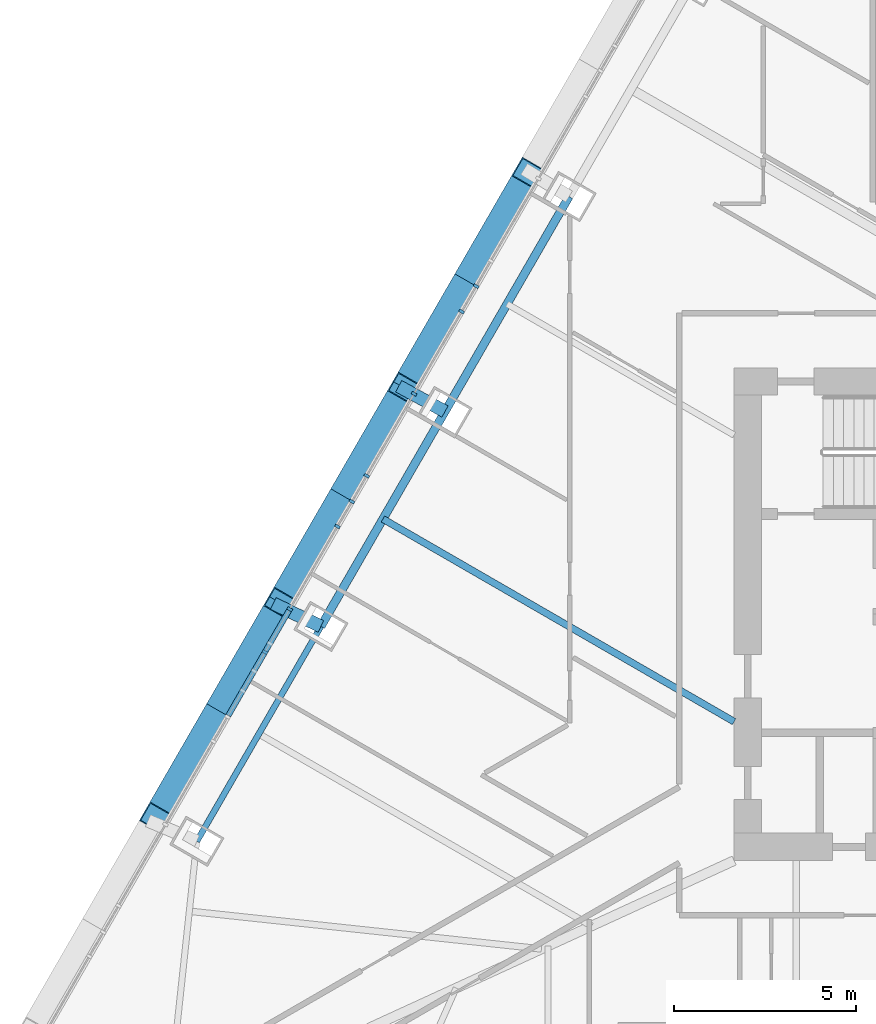
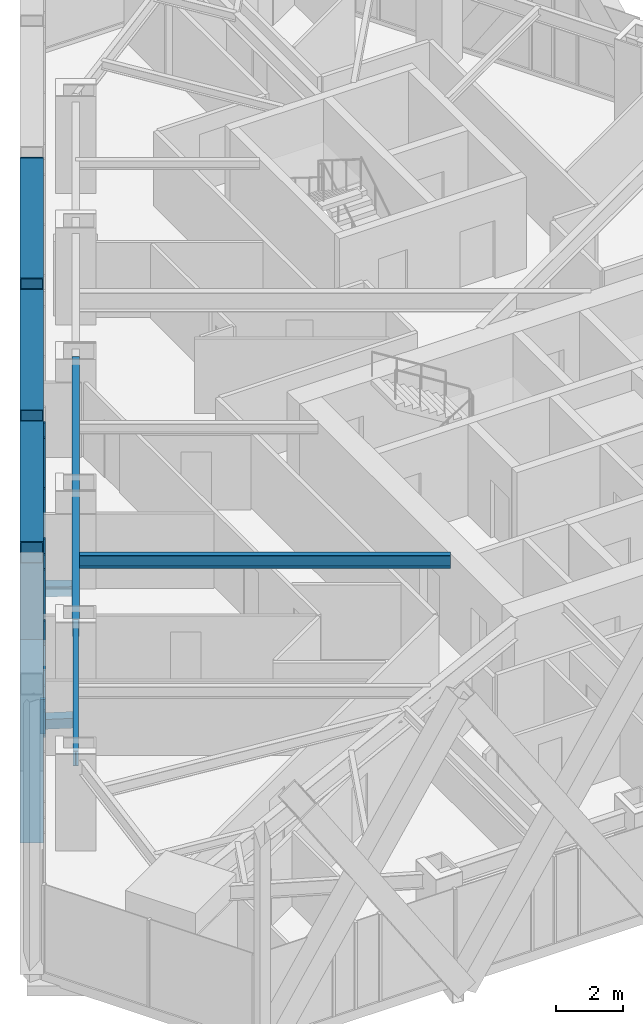
# One storey, part 5 of 24: 18 members, 3 beams, 1 element without a shape of its own.
"""IFC4 building model written with IfcOpenShell, lengths in metres."""

from ifc_helpers import new_model, si_unit, direction, frame, origin, origin_2d, place, context, subcontext, project, spatial, rectangle, hollow_rectangle, i_section, extrude, material, layer, layer_set, material_profile, profile_set, type_object, element, aggregate, save


model = new_model("IFC4")

# Units and contexts
model_context = context("Model", 3, precision=1e-05, world=origin(), true_north=direction((0.0, 1.0)))
body_context = subcontext(model_context, "Body", "Model", "MODEL_VIEW")
ifc_project = project(units=[si_unit("LENGTHUNIT", "METRE"), si_unit("AREAUNIT", "SQUARE_METRE"), si_unit("VOLUMEUNIT", "CUBIC_METRE"), si_unit("PLANEANGLEUNIT", "RADIAN"), si_unit("MASSUNIT", "GRAM", prefix="KILO")], contexts=[model_context])

# Site, building, storey
site_placement = place(None, origin())
site = spatial("IfcSite", under=ifc_project, at=site_placement, CompositionType="ELEMENT")
building_placement = place(site_placement, origin())
building = spatial("IfcBuilding", under=site, at=building_placement, Name="Firuza Gate Tower and Library", CompositionType="ELEMENT")
storey_placement = place(building_placement, frame((0.0, 0.0, 260.10009765625)))
storey = spatial("IfcBuildingStorey", under=building, at=storey_placement, Name="L61", CompositionType="ELEMENT", Elevation=260.10009765625)

# Members
ifc_material_1 = material(Name="Steel S355", Category="steel")
ifc_material_profile_1 = material_profile(ifc_material_1, hollow_rectangle(XDim=0.699951171875, YDim=0.699951171875, WallThickness=0.030029296875, at=origin_2d()))
ifc_profile_set_1 = profile_set([ifc_material_profile_1], Name="Steel S355")
member_type_1 = type_object("IfcMemberType", Name="BU700x700x30 Lattice brace", PredefinedType="BRACE", material=ifc_profile_set_1)
for number, where, z_axis, x_axis, name in (
    (1, (60.853515625, 87.093505859375, 0.0), (-0.271782197689, -0.470769077456, 0.839351483427), (0.866038511948, -0.499977295307, 0.0), "Lattice brace W 15.4R"),
    (2, (57.45361328125, 81.204345703125, 0.0), (0.271782197689, 0.470769077456, 0.839351483427), (-0.866038511948, 0.499977295307, 0.0), "Lattice brace W 15.4L"),
):
    element("IfcMember", number, at=place(storey_placement, frame(where, z_axis=z_axis, x_axis=x_axis)), inside=storey, type_object=member_type_1, Name=name, PredefinedType="BRACE", context=body_context, shape_type="SweptSolid", body=[
        extrude(hollow_rectangle(XDim=0.699951171875, YDim=0.699951171875, WallThickness=0.030029296875, at=origin_2d()), origin(), (0.0, 0.0, 1.0), 12.509765625),
    ])
for number, where, z_axis, x_axis, name in (
    (3, (57.45361328125, 81.204345703125, 0.0), (-0.2717846947, -0.470753886318, 0.839359195007), (0.866029536736, -0.499992841449, 0.0), "Lattice brace W 15.5R"),
    (4, (54.0537109375, 75.3154296875, 0.0), (0.2717846947, 0.470753886318, 0.839359195007), (-0.866029536736, 0.499992841449, 0.0), "Lattice brace W 15.5L"),
    (5, (54.0537109375, 75.3154296875, 0.0), (-0.271802769294, -0.470751389254, 0.839354742716), (0.866013990052, -0.500019768644, 0.0), "Lattice brace W 15.6R"),
    (6, (50.653564453125, 69.426513671875, 0.0), (0.271802769294, 0.470751389254, 0.839354742716), (-0.866013990052, 0.500019768644, 0.0), "Lattice brace W 15.6L"),
):
    element("IfcMember", number, at=place(storey_placement, frame(where, z_axis=z_axis, x_axis=x_axis)), inside=storey, type_object=member_type_1, Name=name, PredefinedType="BRACE", context=body_context, shape_type="SweptSolid", body=[
        extrude(hollow_rectangle(XDim=0.699951171875, YDim=0.699951171875, WallThickness=0.030029296875, at=origin_2d()), origin(), (0.0, 0.0, 1.0), 12.509521484375),
    ])

# Curtain wall, members
ifc_material_2 = material(Name="Aluminium 6063-T6", Category="aluminium")
ifc_layer = layer(ifc_material_2, 0.14990234375)
ifc_layer_set = layer_set([ifc_layer], Name="Unitised curtain wall, residences")
curtain_wall_type = type_object("IfcCurtainWallType", Name="Unitised curtain wall, residences", PredefinedType="NOTDEFINED", material=ifc_layer_set)
curtain_wall_placement = place(storey_placement, origin())
curtain_wall = element("IfcCurtainWall", 7, at=curtain_wall_placement, inside=storey, type_object=curtain_wall_type, Name="CW3 L61 W face", PredefinedType="NOTDEFINED")
ifc_material_3 = material(Name="Aluminium 6063-T6", Category="aluminium")
ifc_material_profile_2 = material_profile(ifc_material_3, rectangle(XDim=0.14990234375, YDim=0.080078125, at=origin_2d()))
ifc_profile_set_2 = profile_set([ifc_material_profile_2], Name="Aluminium 6063-T6")
member_type_2 = type_object("IfcMemberType", Name="Curtain wall mullion 80x150", PredefinedType="MULLION", material=ifc_profile_set_2)
member_1_placement = place(storey_placement, frame((59.43505859375, 83.986328125, 0.14990234375), z_axis=(0.0, 0.0, 1.0), x_axis=(0.866025403784, -0.5, 0.0)))
member_1 = element("IfcMember", 8, at=member_1_placement, type_object=member_type_2, Name="Mullion", PredefinedType="MULLION", context=body_context, shape_type="SweptSolid", body=[
    extrude(rectangle(XDim=0.14990234375, YDim=0.080078125, at=origin_2d()), origin(), (0.0, 0.0, 1.0), 3.14990234375),
])
member_2_placement = place(storey_placement, frame((57.73193359375, 81.03662109375, 0.14990234375), z_axis=(0.0, 0.0, 1.0), x_axis=(0.866025403784, -0.5, 0.0)))
member_2 = element("IfcMember", 9, at=member_2_placement, type_object=member_type_2, Name="Mullion", PredefinedType="MULLION", context=body_context, shape_type="SweptSolid", body=[
    extrude(rectangle(XDim=0.14990234375, YDim=0.080078125, at=origin_2d()), origin(), (0.0, 0.0, 1.0), 3.14990234375),
])
member_3_placement = place(storey_placement, frame((56.02880859375, 78.086669921875, 0.14990234375), z_axis=(0.0, 0.0, 1.0), x_axis=(0.866025403784, -0.5, 0.0)))
member_3 = element("IfcMember", 10, at=member_3_placement, type_object=member_type_2, Name="Mullion", PredefinedType="MULLION", context=body_context, shape_type="SweptSolid", body=[
    extrude(rectangle(XDim=0.14990234375, YDim=0.080078125, at=origin_2d()), origin(), (0.0, 0.0, 1.0), 3.14990234375),
])
member_4_placement = place(storey_placement, frame((54.32568359375, 75.136962890625, 0.14990234375), z_axis=(0.0, 0.0, 1.0), x_axis=(0.866025403784, -0.5, 0.0)))
member_4 = element("IfcMember", 11, at=member_4_placement, type_object=member_type_2, Name="Mullion", PredefinedType="MULLION", context=body_context, shape_type="SweptSolid", body=[
    extrude(rectangle(XDim=0.14990234375, YDim=0.080078125, at=origin_2d()), origin(), (0.0, 0.0, 1.0), 3.14990234375),
])
member_5_placement = place(storey_placement, frame((59.03466796875, 83.29296875, 0.14990234375), z_axis=(0.0, 0.0, 1.0), x_axis=(0.866025403784, -0.5, 0.0)))
member_5 = element("IfcMember", 12, at=member_5_placement, type_object=member_type_2, Name="Mullion", PredefinedType="MULLION", context=body_context, shape_type="SweptSolid", body=[
    extrude(rectangle(XDim=0.14990234375, YDim=0.080078125, at=origin_2d()), origin(), (0.0, 0.0, 1.0), 3.14990234375),
])
member_6_placement = place(storey_placement, frame((56.435546875, 78.791015625, 0.14990234375), z_axis=(0.0, 0.0, 1.0), x_axis=(0.866025403784, -0.5, 0.0)))
member_6 = element("IfcMember", 13, at=member_6_placement, type_object=member_type_2, Name="Mullion", PredefinedType="MULLION", context=body_context, shape_type="SweptSolid", body=[
    extrude(rectangle(XDim=0.14990234375, YDim=0.080078125, at=origin_2d()), origin(), (0.0, 0.0, 1.0), 3.14990234375),
])
member_7_placement = place(storey_placement, frame((55.634521484375, 77.40380859375, 0.14990234375), z_axis=(0.0, 0.0, 1.0), x_axis=(0.866025403784, -0.5, 0.0)))
member_7 = element("IfcMember", 14, at=member_7_placement, type_object=member_type_2, Name="Mullion", PredefinedType="MULLION", context=body_context, shape_type="SweptSolid", body=[
    extrude(rectangle(XDim=0.14990234375, YDim=0.080078125, at=origin_2d()), origin(), (0.0, 0.0, 1.0), 3.14990234375),
])
member_8_placement = place(storey_placement, frame((53.6474609375, 73.962158203125, 0.14990234375), z_axis=(0.0, 0.0, 1.0), x_axis=(0.866025403784, -0.5, 0.0)))
member_8 = element("IfcMember", 15, at=member_8_placement, type_object=member_type_2, Name="Mullion", PredefinedType="MULLION", context=body_context, shape_type="SweptSolid", body=[
    extrude(rectangle(XDim=0.14990234375, YDim=0.080078125, at=origin_2d()), origin(), (0.0, 0.0, 1.0), 1.260009765625),
])
ifc_material_4 = material(Name="Aluminium 6063-T6", Category="aluminium")
ifc_material_profile_3 = material_profile(ifc_material_4, rectangle(XDim=0.14990234375, YDim=0.080078125, at=origin_2d()))
ifc_profile_set_3 = profile_set([ifc_material_profile_3], Name="Aluminium 6063-T6")
member_type_3 = type_object("IfcMemberType", Name="Curtain wall transom 80x150", PredefinedType="USERDEFINED", material=ifc_profile_set_3)
member_9_placement = place(storey_placement, frame((54.3056640625, 75.102294921875, 1.449951171875), z_axis=(-0.499991421906, -0.866030356293, 0.0), x_axis=(0.866030356293, -0.499991421906, 0.0)))
member_9 = element("IfcMember", 16, at=member_9_placement, type_object=member_type_3, Name="Transom", ObjectType="TRANSOM", PredefinedType="USERDEFINED", context=body_context, shape_type="SweptSolid", body=[
    extrude(rectangle(XDim=0.14990234375, YDim=0.080078125, at=origin_2d()), origin(), (0.0, 0.0, 1.0), 3.326171875),
])
member_10_placement = place(storey_placement, frame((54.3056640625, 75.102294921875, 2.375), z_axis=(-0.499991421906, -0.866030356293, 0.0), x_axis=(0.866030356293, -0.499991421906, 0.0)))
member_10 = element("IfcMember", 17, at=member_10_placement, type_object=member_type_3, Name="Transom", ObjectType="TRANSOM", PredefinedType="USERDEFINED", context=body_context, shape_type="SweptSolid", body=[
    extrude(rectangle(XDim=0.14990234375, YDim=0.080078125, at=origin_2d()), origin(), (0.0, 0.0, 1.0), 3.326171875),
])
aggregate(curtain_wall, [member_1, member_2, member_3, member_4, member_5, member_6, member_7, member_8, member_9, member_10])

# Members
ifc_material_5 = material(Name="Steel S355", Category="steel")
ifc_material_profile_4 = material_profile(ifc_material_5, hollow_rectangle(XDim=0.355712890625, YDim=0.355712890625, WallThickness=0.014892578125, at=origin_2d()))
ifc_profile_set_4 = profile_set([ifc_material_profile_4], Name="Steel S355")
member_type_4 = type_object("IfcMemberType", Name="HSS356x356x16 Lattice node tie", PredefinedType="BRACE", material=ifc_profile_set_4)
member_11_placement = place(storey_placement, frame((55.179443359375, 74.66552734375, -0.320068359375), z_axis=(-0.90064264496, 0.434560497606, 0.0), x_axis=(-0.434560497606, -0.90064264496, 0.0)))
element("IfcMember", 18, at=member_11_placement, inside=storey, type_object=member_type_4, Name="Lattice node tie W L61 385", PredefinedType="BRACE", context=body_context, shape_type="SweptSolid", body=[
    extrude(hollow_rectangle(XDim=0.355712890625, YDim=0.355712890625, WallThickness=0.014892578125, at=origin_2d()), origin(), (0.0, 0.0, 1.0), 1.4482421875),
])
member_12_placement = place(storey_placement, frame((58.579345703125, 80.554443359375, -0.320068359375), z_axis=(-0.878121525414, 0.478437651741, 0.0), x_axis=(-0.478437651741, -0.878121525414, 0.0)))
element("IfcMember", 19, at=member_12_placement, inside=storey, type_object=member_type_4, Name="Lattice node tie W L61 386", PredefinedType="BRACE", context=body_context, shape_type="SweptSolid", body=[
    extrude(hollow_rectangle(XDim=0.355712890625, YDim=0.355712890625, WallThickness=0.014892578125, at=origin_2d()), origin(), (0.0, 0.0, 1.0), 1.444580078125),
])

# Beams
ifc_material_6 = material(Name="Steel S355", Category="steel")
ifc_material_profile_5 = material_profile(ifc_material_6, i_section(OverallWidth=0.18994140625, OverallDepth=0.45703125, WebThickness=0.009033203125, FlangeThickness=0.014404296875, at=origin_2d()))
ifc_profile_set_5 = profile_set([ifc_material_profile_5], Name="Steel S355")
beam_type_1 = type_object("IfcBeamType", Name="W460x74 Floor beam", PredefinedType="JOIST", material=ifc_profile_set_5)
beam_1_placement = place(storey_placement, frame((56.87939453125, 77.60986328125, 3.0712890625), z_axis=(0.866026019563, -0.499998933439, 0.0), x_axis=(0.499998933439, 0.866026019563, 0.0)))
element("IfcBeam", 20, at=beam_1_placement, inside=storey, type_object=beam_type_1, Name="Floor beam L61 s83", PredefinedType="JOIST", context=body_context, shape_type="SweptSolid", body=[
    extrude(i_section(OverallWidth=0.18994140625, OverallDepth=0.45703125, WebThickness=0.009033203125, FlangeThickness=0.014404296875, at=origin_2d()), origin(), (0.0, 0.0, 1.0), 11.10888671875),
])
ifc_material_7 = material(Name="Steel S355", Category="steel")
ifc_material_profile_6 = material_profile(ifc_material_7, i_section(OverallWidth=0.166015625, OverallDepth=0.534912109375, WebThickness=0.01025390625, FlangeThickness=0.0166015625, at=origin_2d()))
ifc_profile_set_6 = profile_set([ifc_material_profile_6], Name="Steel S355")
beam_type_2 = type_object("IfcBeamType", Name="W530x85 Edge beam", PredefinedType="SPANDREL", material=ifc_profile_set_6)
beam_2_placement = place(storey_placement, frame((55.179443359375, 74.66552734375, 3.032470703125), z_axis=(-0.499992841449, -0.866029536736, 0.0), x_axis=(0.866029536736, -0.499992841449, 0.0)))
element("IfcBeam", 21, at=beam_2_placement, inside=storey, type_object=beam_type_2, Name="Edge beam L61 e84", PredefinedType="SPANDREL", context=body_context, shape_type="SweptSolid", body=[
    extrude(i_section(OverallWidth=0.166015625, OverallDepth=0.534912109375, WebThickness=0.01025390625, FlangeThickness=0.0166015625, at=origin_2d()), origin(), (0.0, 0.0, 1.0), 6.7998046875),
])
ifc_material_8 = material(Name="Steel S355", Category="steel")
ifc_material_profile_7 = material_profile(ifc_material_8, i_section(OverallWidth=0.22900390625, OverallDepth=0.612060546875, WebThickness=0.011962890625, FlangeThickness=0.01953125, at=origin_2d()))
ifc_profile_set_7 = profile_set([ifc_material_profile_7], Name="Steel S355")
beam_type_3 = type_object("IfcBeamType", Name="W610x125 Edge beam", PredefinedType="SPANDREL", material=ifc_profile_set_7)
beam_3_placement = place(storey_placement, frame((61.9794921875, 86.443359375, 2.993896484375), z_axis=(-0.500006305228, -0.866021763429, 0.0), x_axis=(0.866021763429, -0.500006305228, 0.0)))
element("IfcBeam", 22, at=beam_3_placement, inside=storey, type_object=beam_type_3, Name="Edge beam L61 e82", PredefinedType="SPANDREL", context=body_context, shape_type="SweptSolid", body=[
    extrude(i_section(OverallWidth=0.22900390625, OverallDepth=0.612060546875, WebThickness=0.011962890625, FlangeThickness=0.01953125, at=origin_2d()), origin(), (0.0, 0.0, 1.0), 13.599853515625),
])

save(model, "model.ifc")
